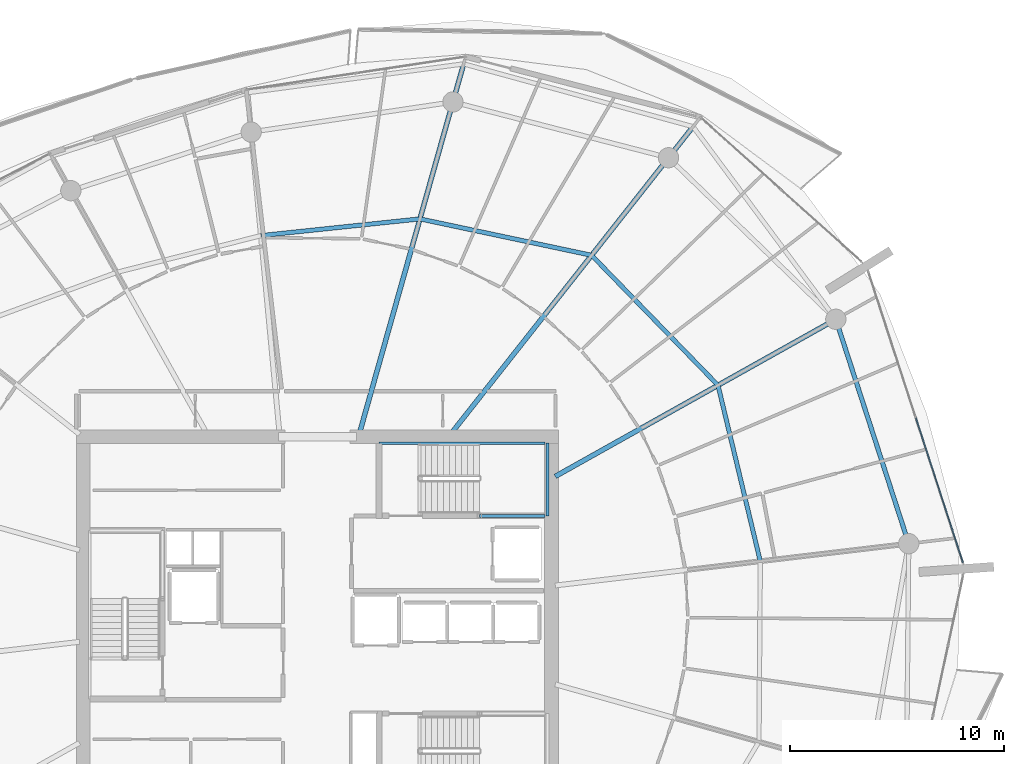
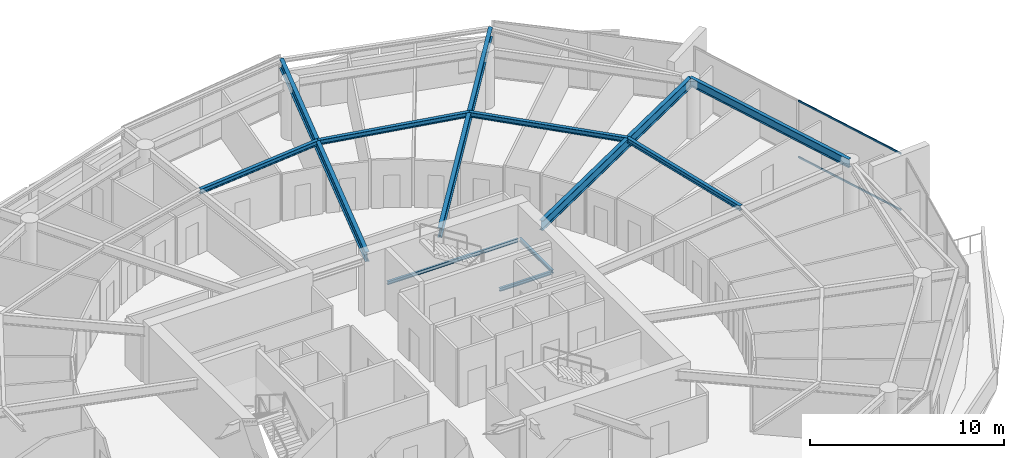
# One storey, part 14 of 30: 11 beams, 2 members, 1 element without a shape of its own.
"""IFC4 building model written with IfcOpenShell, lengths in metres."""

from ifc_helpers import new_model, si_unit, direction, frame, origin, origin_2d, place, context, subcontext, project, spatial, rectangle, i_section, extrude, material, layer, layer_set, material_profile, profile_set, type_object, element, aggregate, save


model = new_model("IFC4")

# Units and contexts
model_context = context("Model", 3, precision=1e-05, world=origin(), true_north=direction((0.0, 1.0)))
body_context = subcontext(model_context, "Body", "Model", "MODEL_VIEW")
ifc_project = project(units=[si_unit("LENGTHUNIT", "METRE"), si_unit("AREAUNIT", "SQUARE_METRE"), si_unit("VOLUMEUNIT", "CUBIC_METRE"), si_unit("PLANEANGLEUNIT", "RADIAN"), si_unit("MASSUNIT", "GRAM", prefix="KILO")], contexts=[model_context])

# Site, building, storey
site_placement = place(None, origin())
site = spatial("IfcSite", under=ifc_project, at=site_placement, CompositionType="ELEMENT")
building_placement = place(site_placement, origin())
building = spatial("IfcBuilding", under=site, at=building_placement, Name="Kazma Halo Residences", CompositionType="ELEMENT")
storey_placement = place(building_placement, frame((0.0, 0.0, 267.5)))
storey = spatial("IfcBuildingStorey", under=building, at=storey_placement, Name="L67", CompositionType="ELEMENT", Elevation=267.5)

# Beams
ifc_material_1 = material(Name="Steel S355", Category="steel")
ifc_material_profile_1 = material_profile(ifc_material_1, i_section(OverallWidth=0.22802734375, OverallDepth=0.60791015625, WebThickness=0.01123046875, FlangeThickness=0.017333984375, FilletRadius=0.01806640625, at=origin_2d()), Name="W610x113")
ifc_profile_set_1 = profile_set([ifc_material_profile_1], Name="Steel S355")
beam_type_1 = type_object("IfcBeamType", Name="BM-RAD-W610", PredefinedType="BEAM", material=ifc_profile_set_1)
beam_1_placement = place(storey_placement, frame((59.550048828125, 48.46826171875, 3.285888671875), z_axis=(0.872498817764, 0.488616222613, 0.0), x_axis=(-0.488616222613, 0.872498817764, 0.0)))
element("IfcBeam", 1, at=beam_1_placement, inside=storey, type_object=beam_type_1, Name="L67 radial floor beam 01", PredefinedType="BEAM", context=body_context, shape_type="SweptSolid", body=[
    extrude(i_section(OverallWidth=0.22802734375, OverallDepth=0.60791015625, WebThickness=0.01123046875, FlangeThickness=0.017333984375, FilletRadius=0.01806640625, at=origin_2d()), origin(), (0.0, 0.0, 1.0), 15.03759765625),
])
beam_2_placement = place(storey_placement, frame((54.700927734375, 50.5, 3.285888671875), z_axis=(0.6190864347, 0.785322854863, 0.0), x_axis=(-0.785322854863, 0.6190864347, 0.0)))
element("IfcBeam", 2, at=beam_2_placement, inside=storey, type_object=beam_type_1, Name="L67 radial floor beam 02", PredefinedType="BEAM", context=body_context, shape_type="SweptSolid", body=[
    extrude(i_section(OverallWidth=0.22802734375, OverallDepth=0.60791015625, WebThickness=0.01123046875, FlangeThickness=0.017333984375, FilletRadius=0.01806640625, at=origin_2d()), origin(), (0.0, 0.0, 1.0), 18.239013671875),
])
beam_3_placement = place(storey_placement, frame((50.397216796875, 50.5, 3.285888671875), z_axis=(0.271445290974, 0.962453871107, 0.0), x_axis=(-0.962453871107, 0.271445290974, 0.0)))
element("IfcBeam", 3, at=beam_3_placement, inside=storey, type_object=beam_type_1, Name="L67 radial floor beam 03", PredefinedType="BEAM", context=body_context, shape_type="SweptSolid", body=[
    extrude(i_section(OverallWidth=0.22802734375, OverallDepth=0.60791015625, WebThickness=0.01123046875, FlangeThickness=0.017333984375, FilletRadius=0.01806640625, at=origin_2d()), origin(), (0.0, 0.0, 1.0), 17.933349609375),
])
ifc_material_profile_2 = material_profile(ifc_material_1, i_section(OverallWidth=0.202880859375, OverallDepth=0.302978515625, WebThickness=0.007568359375, FlangeThickness=0.01318359375, FilletRadius=0.013916015625, at=origin_2d()), Name="W310x60")
ifc_profile_set_2 = profile_set([ifc_material_profile_2], Name="Steel S355")
beam_type_2 = type_object("IfcBeamType", Name="BM-SEC-W310A", PredefinedType="JOIST", material=ifc_profile_set_2)
beam_4_placement = place(storey_placement, frame((67.159912109375, 52.72998046875, 3.4384765625), z_axis=(-0.697145013687, 0.716930142964, 0.0), x_axis=(-0.716930142964, -0.697145013687, 0.0)))
element("IfcBeam", 4, at=beam_4_placement, inside=storey, type_object=beam_type_2, Name="L67 circumferential floor joist 01", PredefinedType="JOIST", context=body_context, shape_type="SweptSolid", body=[
    extrude(i_section(OverallWidth=0.202880859375, OverallDepth=0.302978515625, WebThickness=0.007568359375, FlangeThickness=0.01318359375, FilletRadius=0.013916015625, at=origin_2d()), origin(), (0.0, 0.0, 1.0), 8.477294921875),
])
beam_5_placement = place(storey_placement, frame((61.25, 58.8076171875, 3.4384765625), z_axis=(-0.978235588777, 0.207497308055, 0.0), x_axis=(-0.207497308055, -0.978235588777, 0.0)))
element("IfcBeam", 5, at=beam_5_placement, inside=storey, type_object=beam_type_2, Name="L67 circumferential floor joist 02", PredefinedType="JOIST", context=body_context, shape_type="SweptSolid", body=[
    extrude(i_section(OverallWidth=0.202880859375, OverallDepth=0.302978515625, WebThickness=0.007568359375, FlangeThickness=0.01318359375, FilletRadius=0.013916015625, at=origin_2d()), origin(), (0.0, 0.0, 1.0), 8.2080078125),
])
beam_6_placement = place(storey_placement, frame((53.220703125, 60.5107421875, 3.4384765625), z_axis=(-0.994528326067, -0.104467261141, 0.0), x_axis=(0.104467261141, -0.994528326067, 0.0)))
element("IfcBeam", 6, at=beam_6_placement, inside=storey, type_object=beam_type_2, Name="L67 circumferential floor joist 03", PredefinedType="JOIST", context=body_context, shape_type="SweptSolid", body=[
    extrude(i_section(OverallWidth=0.202880859375, OverallDepth=0.302978515625, WebThickness=0.007568359375, FlangeThickness=0.01318359375, FilletRadius=0.013916015625, at=origin_2d()), origin(), (0.0, 0.0, 1.0), 7.478515625),
])
beam_7_placement = place(storey_placement, frame((69.13720703125, 44.501708984375, 3.4384765625), z_axis=(-0.23365336492, 0.97231996023, 0.0), x_axis=(-0.97231996023, -0.23365336492, 0.0)))
element("IfcBeam", 7, at=beam_7_placement, inside=storey, type_object=beam_type_2, Name="L67 circumferential floor joist 16", PredefinedType="JOIST", context=body_context, shape_type="SweptSolid", body=[
    extrude(i_section(OverallWidth=0.202880859375, OverallDepth=0.302978515625, WebThickness=0.007568359375, FlangeThickness=0.01318359375, FilletRadius=0.013916015625, at=origin_2d()), origin(), (0.0, 0.0, 1.0), 8.46240234375),
])
ifc_material_profile_3 = material_profile(ifc_material_1, i_section(OverallWidth=0.208984375, OverallDepth=0.532958984375, WebThickness=0.01025390625, FlangeThickness=0.015625, FilletRadius=0.01611328125, at=origin_2d()), Name="W530x92")
ifc_profile_set_3 = profile_set([ifc_material_profile_3], Name="Steel S355")
beam_type_3 = type_object("IfcBeamType", Name="BM-SPN-W530", PredefinedType="BEAM", material=ifc_profile_set_3)
beam_8_placement = place(storey_placement, frame((76.07958984375, 45.323486328125, 3.323486328125), z_axis=(-0.309015517474, 0.951056996168, 0.0), x_axis=(-0.951056996168, -0.309015517474, 0.0)))
element("IfcBeam", 8, at=beam_8_placement, inside=storey, type_object=beam_type_3, Name="L67 perimeter ring beam 16", PredefinedType="BEAM", context=body_context, shape_type="SweptSolid", body=[
    extrude(i_section(OverallWidth=0.208984375, OverallDepth=0.532958984375, WebThickness=0.01025390625, FlangeThickness=0.015625, FilletRadius=0.01611328125, at=origin_2d()), origin(), (0.0, 0.0, 1.0), 11.032470703125),
])
ifc_material_profile_4 = material_profile(ifc_material_1, i_section(OverallWidth=0.133056640625, OverallDepth=0.20703125, WebThickness=0.005859375, FlangeThickness=0.00830078125, FilletRadius=0.010009765625, at=origin_2d()), Name="W200x26.6")
ifc_profile_set_4 = profile_set([ifc_material_profile_4], Name="Steel S355")
beam_type_4 = type_object("IfcBeamType", Name="BM-TRIM-W200", PredefinedType="BEAM", material=ifc_profile_set_4)
beam_9_placement = place(storey_placement, frame((51.31005859375, 50.02001953125, 1.6201171875), z_axis=(1.0, 0.0, 0.0), x_axis=(0.0, 1.0, 0.0)))
element("IfcBeam", 9, at=beam_9_placement, inside=storey, type_object=beam_type_4, Name="L67 ST-02 landing north wall ledger", PredefinedType="BEAM", context=body_context, shape_type="SweptSolid", body=[
    extrude(i_section(OverallWidth=0.133056640625, OverallDepth=0.20703125, WebThickness=0.005859375, FlangeThickness=0.00830078125, FilletRadius=0.010009765625, at=origin_2d()), origin(), (0.0, 0.0, 1.0), 7.760009765625),
])
beam_10_placement = place(storey_placement, frame((56.0, 46.6201171875, 1.6201171875), z_axis=(1.0, 0.0, 0.0), x_axis=(0.0, 1.0, 0.0)))
element("IfcBeam", 10, at=beam_10_placement, inside=storey, type_object=beam_type_4, Name="L67 ST-02 landing south wall ledger", PredefinedType="BEAM", context=body_context, shape_type="SweptSolid", body=[
    extrude(i_section(OverallWidth=0.133056640625, OverallDepth=0.20703125, WebThickness=0.005859375, FlangeThickness=0.00830078125, FilletRadius=0.010009765625, at=origin_2d()), origin(), (0.0, 0.0, 1.0), 3.070068359375),
])
beam_11_placement = place(storey_placement, frame((59.18994140625, 46.6201171875, 1.6201171875), z_axis=(0.0, 1.0, 0.0), x_axis=(-1.0, 0.0, 0.0)))
element("IfcBeam", 11, at=beam_11_placement, inside=storey, type_object=beam_type_4, Name="L67 ST-02 landing end wall ledger", PredefinedType="BEAM", context=body_context, shape_type="SweptSolid", body=[
    extrude(i_section(OverallWidth=0.133056640625, OverallDepth=0.20703125, WebThickness=0.005859375, FlangeThickness=0.00830078125, FilletRadius=0.010009765625, at=origin_2d()), origin(), (0.0, 0.0, 1.0), 3.39990234375),
])

# Curtain wall, members
ifc_material_2 = material(Name="Aluminium AW-6063 T6 and Triple-Silver Low-E Glass", Category="aluminium")
ifc_layer = layer(ifc_material_2, 0.139892578125)
ifc_layer_set = layer_set([ifc_layer], Name="Aluminium AW-6063 T6 and Triple-Silver Low-E Glass")
curtain_wall_type = type_object("IfcCurtainWallType", Name="CW-SYS-5", PredefinedType="NOTDEFINED", material=ifc_layer_set)
curtain_wall_placement = place(storey_placement, origin())
curtain_wall = element("IfcCurtainWall", 12, at=curtain_wall_placement, inside=storey, type_object=curtain_wall_type, Name="L67 unitised curtain wall B16", PredefinedType="NOTDEFINED")
ifc_material_3 = material(Name="Aluminium AW-6063 T6", Category="aluminium")
ifc_material_profile_5 = material_profile(ifc_material_3, rectangle(XDim=0.06005859375, YDim=0.10498046875, at=origin_2d()), Name="CWT-60x105")
ifc_profile_set_5 = profile_set([ifc_material_profile_5], Name="Aluminium AW-6063 T6")
member_type = type_object("IfcMemberType", Name="CW-SYS-5-TRN", PredefinedType="USERDEFINED", material=ifc_profile_set_5)
member_1_placement = place(storey_placement, frame((78.613525390625, 44.44091796875, 0.030029296875), z_axis=(-0.308995987448, 0.951063341603, 0.0), x_axis=(-0.951063341603, -0.308995987448, 0.0)))
member_1 = element("IfcMember", 13, at=member_1_placement, type_object=member_type, Name="CWS-5 transom 1.1", ObjectType="TRANSOM", PredefinedType="USERDEFINED", context=body_context, shape_type="SweptSolid", body=[
    extrude(rectangle(XDim=0.06005859375, YDim=0.10498046875, at=origin_2d()), origin(), (0.0, 0.0, 1.0), 7.108642578125),
])
member_2_placement = place(storey_placement, frame((78.613525390625, 44.44091796875, 3.56005859375), z_axis=(-0.308995987448, 0.951063341603, 0.0), x_axis=(-0.951063341603, -0.308995987448, 0.0)))
member_2 = element("IfcMember", 14, at=member_2_placement, type_object=member_type, Name="CWS-5 transom 1.2", ObjectType="TRANSOM", PredefinedType="USERDEFINED", context=body_context, shape_type="SweptSolid", body=[
    extrude(rectangle(XDim=0.06005859375, YDim=0.10498046875, at=origin_2d()), origin(), (0.0, 0.0, 1.0), 7.108642578125),
])
aggregate(curtain_wall, [member_1, member_2])

save(model, "model.ifc")
